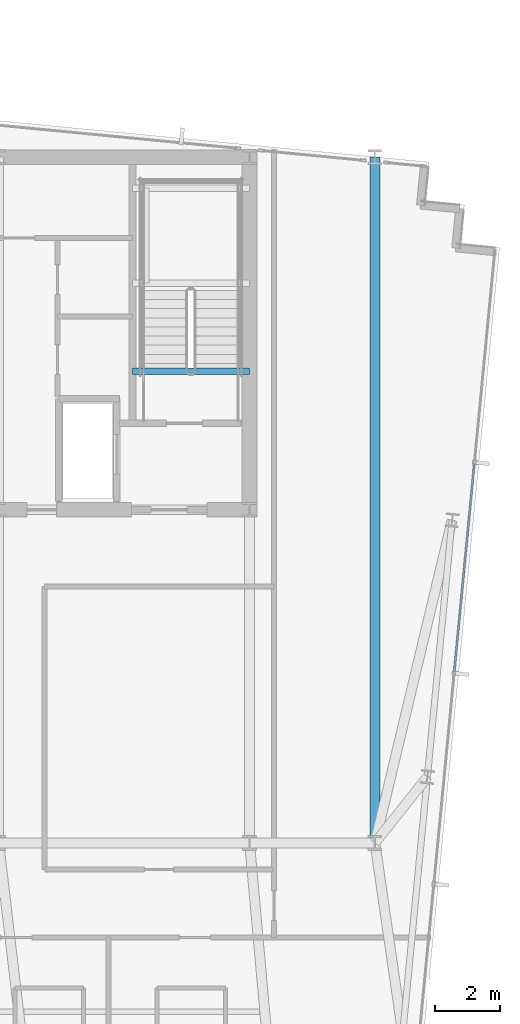
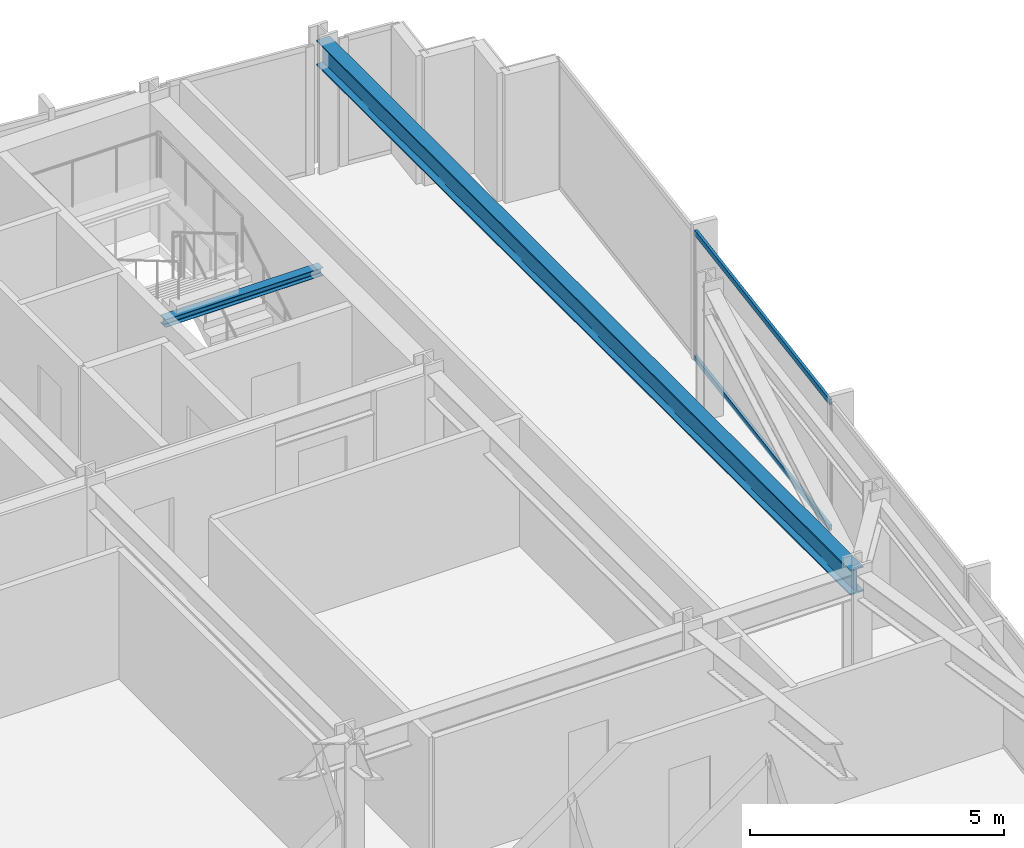
# One storey, part 19 of 37: 2 beams, 2 members, 1 element without a shape of its own.
"""IFC4 building model written with IfcOpenShell, lengths in metres."""

from ifc_helpers import new_model, si_unit, direction, frame, origin, origin_2d, place, context, subcontext, project, spatial, hollow_rectangle, i_section, extrude, material, material_profile, profile_set, type_object, element, aggregate, save


model = new_model("IFC4")

# Units and contexts
model_context = context("Model", 3, precision=1e-05, world=origin(), true_north=direction((0.0, 1.0)))
body_context = subcontext(model_context, "Body", "Model", "MODEL_VIEW")
ifc_project = project(units=[si_unit("LENGTHUNIT", "METRE"), si_unit("AREAUNIT", "SQUARE_METRE"), si_unit("VOLUMEUNIT", "CUBIC_METRE"), si_unit("PLANEANGLEUNIT", "RADIAN"), si_unit("MASSUNIT", "GRAM", prefix="KILO")], contexts=[model_context])

# Site, building, storey
site_placement = place(None, origin())
site = spatial("IfcSite", under=ifc_project, at=site_placement, CompositionType="ELEMENT")
building_placement = place(site_placement, origin())
building = spatial("IfcBuilding", under=site, at=building_placement, Name="Yelkora Congress Tower", CompositionType="ELEMENT")
storey_placement = place(building_placement, frame((0.0, 0.0, 168.800048828125)))
storey = spatial("IfcBuildingStorey", under=building, at=storey_placement, Name="L46", CompositionType="ELEMENT", Elevation=168.800048828125)

# Beams
ifc_material_1 = material(Name="Steel S355J2", Category="steel")
ifc_material_profile_1 = material_profile(ifc_material_1, i_section(OverallWidth=0.300048828125, OverallDepth=0.60009765625, WebThickness=0.015380859375, FlangeThickness=0.030029296875, FilletRadius=0.027099609375, at=origin_2d()), Name="HEB 600")
ifc_profile_set_1 = profile_set([ifc_material_profile_1], Name="Steel S355J2")
beam_type_1 = type_object("IfcBeamType", Name="BM-GIRD-HEB600", PredefinedType="BEAM", material=ifc_profile_set_1)
beam_1_placement = place(storey_placement, frame((57.60009765625, 25.199951171875, 2.780029296875), z_axis=(0.0, 1.0, 0.0), x_axis=(-1.0, 0.0, 0.0)))
element("IfcBeam", 1, at=beam_1_placement, inside=storey, type_object=beam_type_1, Name="L46 Neck Flank Girder MC-F2", PredefinedType="BEAM", context=body_context, shape_type="SweptSolid", body=[
    extrude(i_section(OverallWidth=0.300048828125, OverallDepth=0.60009765625, WebThickness=0.015380859375, FlangeThickness=0.030029296875, FilletRadius=0.027099609375, at=origin_2d()), origin(), (0.0, 0.0, 1.0), 21.0),
])
ifc_material_profile_2 = material_profile(ifc_material_1, i_section(OverallWidth=0.199951171875, OverallDepth=0.18994140625, WebThickness=0.006591796875, FlangeThickness=0.010009765625, FilletRadius=0.01806640625, at=origin_2d()), Name="HEA 200")
ifc_profile_set_2 = profile_set([ifc_material_profile_2], Name="Steel S355J2")
beam_type_2 = type_object("IfcBeamType", Name="BM-LAND-HEA200", PredefinedType="BEAM", material=ifc_profile_set_2)
beam_2_placement = place(storey_placement, frame((50.179931640625, 39.639892578125, 2.853759765625), z_axis=(1.0, 0.0, 0.0), x_axis=(0.0, 1.0, 0.0)))
element("IfcBeam", 2, at=beam_2_placement, inside=storey, type_object=beam_type_2, Name="ST-02 L46 Floor Arrival Stringer Header Beam", PredefinedType="BEAM", context=body_context, shape_type="SweptSolid", body=[
    extrude(i_section(OverallWidth=0.199951171875, OverallDepth=0.18994140625, WebThickness=0.006591796875, FlangeThickness=0.010009765625, FilletRadius=0.01806640625, at=origin_2d()), origin(), (0.0, 0.0, 1.0), 3.580078125),
])

# Curtain wall, members
ifc_material_2 = material(Name="Anodised aluminium and insulated glass", Category="aluminium")
curtain_wall_type = type_object("IfcCurtainWallType", Name="CW-SYS-B3", PredefinedType="NOTDEFINED", material=ifc_material_2)
curtain_wall_placement = place(storey_placement, origin())
curtain_wall = element("IfcCurtainWall", 3, at=curtain_wall_placement, inside=storey, type_object=curtain_wall_type, Name="L46 Unitised Curtain Wall 15", PredefinedType="NOTDEFINED")
ifc_material_3 = material(Name="Anodised aluminium 6063-T6", Category="aluminium")
ifc_material_profile_3 = material_profile(ifc_material_3, hollow_rectangle(XDim=0.06005859375, YDim=0.1298828125, WallThickness=0.00390625, at=origin_2d()), Name="ALU 60x130x4")
ifc_profile_set_3 = profile_set([ifc_material_profile_3], Name="Anodised aluminium 6063-T6")
member_type = type_object("IfcMemberType", Name="MEM-TR-B3", PredefinedType="USERDEFINED", material=ifc_profile_set_3)
member_1_placement = place(storey_placement, frame((60.642822265625, 36.81494140625, 0.030029296875), z_axis=(-0.095843682057, -0.995396397728, 0.0), x_axis=(0.995396397728, -0.095843682057, 0.0)))
member_1 = element("IfcMember", 4, at=member_1_placement, type_object=member_type, Name="CW-B3 transom 2.1", ObjectType="TRANSOM", PredefinedType="USERDEFINED", context=body_context, shape_type="SweptSolid", body=[
    extrude(hollow_rectangle(XDim=0.06005859375, YDim=0.1298828125, WallThickness=0.00390625, at=origin_2d()), origin(), (0.0, 0.0, 1.0), 6.4140625),
])
member_2_placement = place(storey_placement, frame((60.642822265625, 36.81494140625, 3.050048828125), z_axis=(-0.095843682057, -0.995396397728, 0.0), x_axis=(0.995396397728, -0.095843682057, 0.0)))
member_2 = element("IfcMember", 5, at=member_2_placement, type_object=member_type, Name="CW-B3 transom 2.2", ObjectType="TRANSOM", PredefinedType="USERDEFINED", context=body_context, shape_type="SweptSolid", body=[
    extrude(hollow_rectangle(XDim=0.06005859375, YDim=0.1298828125, WallThickness=0.00390625, at=origin_2d()), origin(), (0.0, 0.0, 1.0), 6.4140625),
])
aggregate(curtain_wall, [member_1, member_2])

save(model, "model.ifc")
